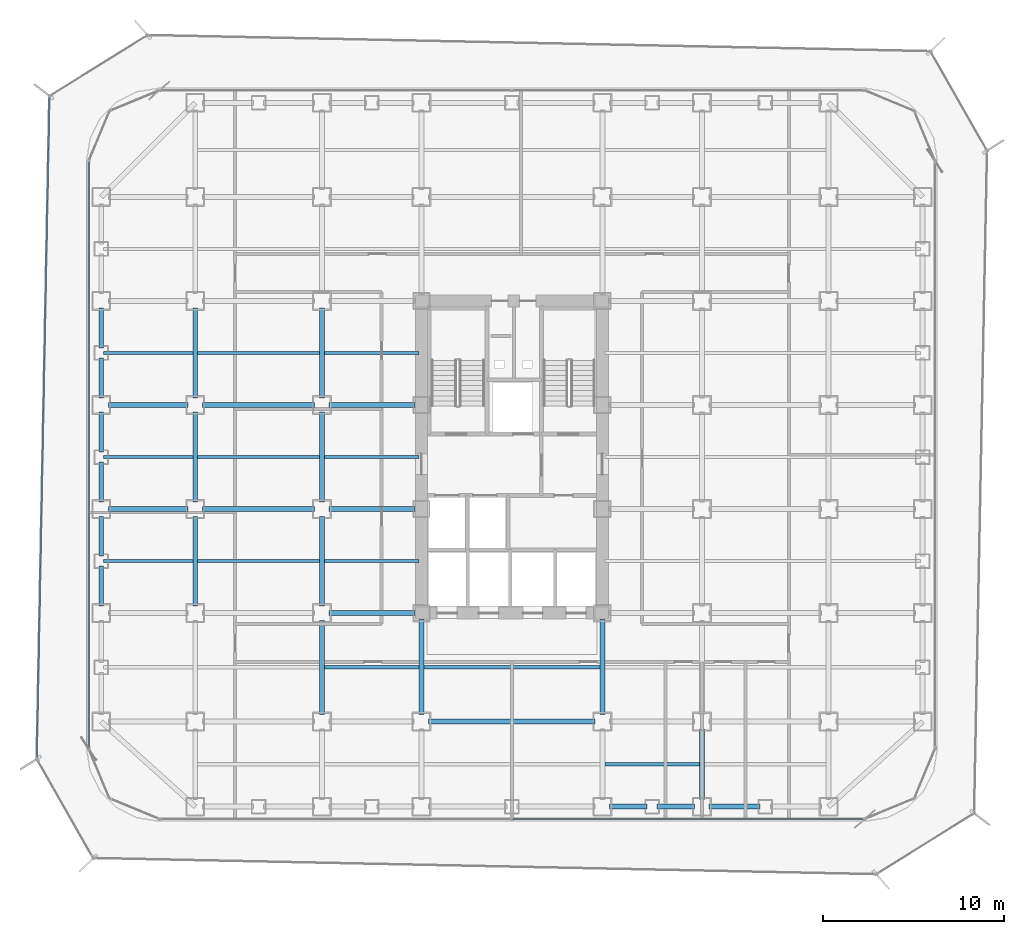
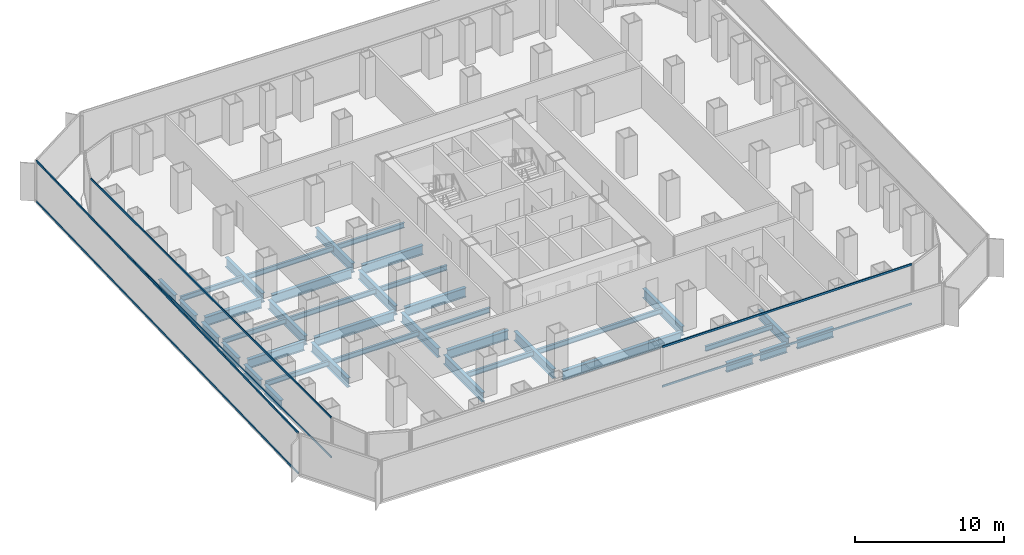
# One storey, part 5 of 21: 39 beams, 6 members, 3 elements without a shape of their own.
"""IFC4 building model written with IfcOpenShell, lengths in metres."""

from ifc_helpers import new_model, si_unit, direction, frame, origin, origin_2d, place, context, subcontext, project, spatial, hollow_rectangle, i_section, extrude, source, transform, mapped, material, layer, layer_set, material_profile, profile_set, type_object, element, aggregate, save


model = new_model("IFC4")

# Units and contexts
model_context = context("Model", 3, precision=1e-05, world=origin(), true_north=direction((0.0, 1.0)))
body_context = subcontext(model_context, "Body", "Model", "MODEL_VIEW")
ifc_project = project(units=[si_unit("LENGTHUNIT", "METRE"), si_unit("AREAUNIT", "SQUARE_METRE"), si_unit("VOLUMEUNIT", "CUBIC_METRE"), si_unit("PLANEANGLEUNIT", "RADIAN"), si_unit("MASSUNIT", "GRAM", prefix="KILO")], contexts=[model_context])

# Site, building, storey
site_placement = place(None, origin())
site = spatial("IfcSite", under=ifc_project, at=site_placement, CompositionType="ELEMENT")
building_placement = place(site_placement, origin())
building = spatial("IfcBuilding", under=site, at=building_placement, Name="Kolveth Station Tower", CompositionType="ELEMENT")
storey_placement = place(building_placement, frame((0.0, 0.0, 26.10009765625)))
storey = spatial("IfcBuildingStorey", under=building, at=storey_placement, Name="L06", CompositionType="ELEMENT", Elevation=26.10009765625)

# Beams
ifc_material_1 = material(Name="Steel S355", Category="steel")
ifc_material_profile_1 = material_profile(ifc_material_1, i_section(OverallWidth=0.26904296875, OverallDepth=0.77490234375, WebThickness=0.01708984375, FlangeThickness=0.0283203125, at=origin_2d()), Name="W760x220")
ifc_profile_set_1 = profile_set([ifc_material_profile_1], Name="Steel S355")
beam_type_1 = type_object("IfcBeamType", Name="Beam_SP1", PredefinedType="SPANDREL", material=ifc_profile_set_1)
shared_shape_1 = source(origin(), body_context, "Body", "SweptSolid", [
    extrude(i_section(OverallWidth=0.26904296875, OverallDepth=0.77490234375, WebThickness=0.01708984375, FlangeThickness=0.0283203125, at=origin_2d()), origin(), (0.0, 0.0, 1.0), 2.820068359375),
])
beam_1_placement = place(storey_placement, frame((34.39990234375, 0.800048828125, -0.66748046875), z_axis=(1.0, 0.0, 0.0), x_axis=(0.0, 1.0, 0.0)))
element("IfcBeam", 1, at=beam_1_placement, inside=storey, type_object=beam_type_1, Name="L06 Perimeter Spandrel BM-L06-PS-9", PredefinedType="SPANDREL", context=body_context, shape_type="MappedRepresentation", body=[
    mapped(shared_shape_1, transform((0.0, 0.0, 0.0), x_axis=(1.0, 0.0, 0.0), y_axis=(0.0, 1.0, 0.0), z_axis=(0.0, 0.0, 1.0), scale=1.0)),
])
shared_shape_2 = source(origin(), body_context, "Body", "SweptSolid", [
    extrude(i_section(OverallWidth=0.26904296875, OverallDepth=0.77490234375, WebThickness=0.01708984375, FlangeThickness=0.0283203125, at=origin_2d()), origin(), (0.0, 0.0, 1.0), 2.070068359375),
])
for number, where, z_axis, x_axis, name in (
    (2, (28.89990234375, 0.800048828125, -0.66748046875), (1.0, 0.0, 0.0), (0.0, 1.0, 0.0), "L06 Perimeter Spandrel BM-L06-PS-7"),
    (3, (31.530029296875, 0.800048828125, -0.66748046875), (1.0, 0.0, 0.0), (0.0, 1.0, 0.0), "L06 Perimeter Spandrel BM-L06-PS-8"),
):
    element("IfcBeam", number, at=place(storey_placement, frame(where, z_axis=z_axis, x_axis=x_axis)), inside=storey, type_object=beam_type_1, Name=name, PredefinedType="SPANDREL", context=body_context, shape_type="MappedRepresentation", body=[
        mapped(shared_shape_2, transform((0.0, 0.0, 0.0), x_axis=(1.0, 0.0, 0.0), y_axis=(0.0, 1.0, 0.0), z_axis=(0.0, 0.0, 1.0), scale=1.0)),
    ])
shared_shape_3 = source(origin(), body_context, "Body", "SweptSolid", [
    extrude(i_section(OverallWidth=0.26904296875, OverallDepth=0.77490234375, WebThickness=0.01708984375, FlangeThickness=0.0283203125, at=origin_2d()), origin(), (0.0, 0.0, 1.0), 2.2001953125),
])
for number, where, z_axis, x_axis, name in (
    (4, (0.800048828125, 11.89990234375, -0.66748046875), (0.0, 1.0, 0.0), (-1.0, 0.0, 0.0), "L06 Perimeter Spandrel BM-L06-PW-3"),
    (5, (0.800048828125, 20.39990234375, -0.66748046875), (0.0, 1.0, 0.0), (-1.0, 0.0, 0.0), "L06 Perimeter Spandrel BM-L06-PW-6"),
    (6, (0.800048828125, 23.39990234375, -0.66748046875), (0.0, 1.0, 0.0), (-1.0, 0.0, 0.0), "L06 Perimeter Spandrel BM-L06-PW-7"),
):
    element("IfcBeam", number, at=place(storey_placement, frame(where, z_axis=z_axis, x_axis=x_axis)), inside=storey, type_object=beam_type_1, Name=name, PredefinedType="SPANDREL", context=body_context, shape_type="MappedRepresentation", body=[
        mapped(shared_shape_3, transform((0.0, 0.0, 0.0), x_axis=(1.0, 0.0, 0.0), y_axis=(0.0, 1.0, 0.0), z_axis=(0.0, 0.0, 1.0), scale=1.0)),
    ])
shared_shape_4 = source(origin(), body_context, "Body", "SweptSolid", [
    extrude(i_section(OverallWidth=0.26904296875, OverallDepth=0.77490234375, WebThickness=0.01708984375, FlangeThickness=0.0283203125, at=origin_2d()), origin(), (0.0, 0.0, 1.0), 2.190185546875),
])
for number, where, z_axis, x_axis, name in (
    (7, (0.800048828125, 14.659912109375, -0.66748046875), (0.0, 1.0, 0.0), (-1.0, 0.0, 0.0), "L06 Perimeter Spandrel BM-L06-PW-4"),
    (8, (0.800048828125, 17.64990234375, -0.66748046875), (0.0, 1.0, 0.0), (-1.0, 0.0, 0.0), "L06 Perimeter Spandrel BM-L06-PW-5"),
    (9, (0.800048828125, 26.159912109375, -0.66748046875), (0.0, 1.0, 0.0), (-1.0, 0.0, 0.0), "L06 Perimeter Spandrel BM-L06-PW-8"),
):
    element("IfcBeam", number, at=place(storey_placement, frame(where, z_axis=z_axis, x_axis=x_axis)), inside=storey, type_object=beam_type_1, Name=name, PredefinedType="SPANDREL", context=body_context, shape_type="MappedRepresentation", body=[
        mapped(shared_shape_4, transform((0.0, 0.0, 0.0), x_axis=(1.0, 0.0, 0.0), y_axis=(0.0, 1.0, 0.0), z_axis=(0.0, 0.0, 1.0), scale=1.0)),
    ])
ifc_material_profile_2 = material_profile(ifc_material_1, i_section(OverallWidth=0.26708984375, OverallDepth=0.76611328125, WebThickness=0.014892578125, FlangeThickness=0.023681640625, at=origin_2d()), Name="W760x185")
ifc_profile_set_2 = profile_set([ifc_material_profile_2], Name="Steel S355")
beam_type_2 = type_object("IfcBeamType", Name="Beam_B3", PredefinedType="BEAM", material=ifc_profile_set_2)
shared_shape_5 = source(origin(), body_context, "Body", "SweptSolid", [
    extrude(i_section(OverallWidth=0.26708984375, OverallDepth=0.76611328125, WebThickness=0.014892578125, FlangeThickness=0.023681640625, at=origin_2d()), origin(), (0.0, 0.0, 1.0), 4.400146484375),
])
for number, where, z_axis, x_axis, name in (
    (10, (1.199951171875, 17.25, -0.6630859375), (1.0, 0.0, 0.0), (0.0, 1.0, 0.0), "L06 Primary Girder BM-L06-GY172-1"),
    (11, (1.199951171875, 23.0, -0.6630859375), (1.0, 0.0, 0.0), (0.0, 1.0, 0.0), "L06 Primary Girder BM-L06-GY230-1"),
):
    element("IfcBeam", number, at=place(storey_placement, frame(where, z_axis=z_axis, x_axis=x_axis)), inside=storey, type_object=beam_type_2, Name=name, PredefinedType="BEAM", context=body_context, shape_type="MappedRepresentation", body=[
        mapped(shared_shape_5, transform((0.0, 0.0, 0.0), x_axis=(1.0, 0.0, 0.0), y_axis=(0.0, 1.0, 0.0), z_axis=(0.0, 0.0, 1.0), scale=1.0)),
    ])
shared_shape_6 = source(origin(), body_context, "Body", "SweptSolid", [
    extrude(i_section(OverallWidth=0.26708984375, OverallDepth=0.76611328125, WebThickness=0.014892578125, FlangeThickness=0.023681640625, at=origin_2d()), origin(), (0.0, 0.0, 1.0), 6.2001953125),
])
for number, where, z_axis, x_axis, name in (
    (12, (6.39990234375, 17.25, -0.6630859375), (1.0, 0.0, 0.0), (0.0, 1.0, 0.0), "L06 Primary Girder BM-L06-GY172-2"),
    (13, (6.39990234375, 23.0, -0.6630859375), (1.0, 0.0, 0.0), (0.0, 1.0, 0.0), "L06 Primary Girder BM-L06-GY230-2"),
):
    element("IfcBeam", number, at=place(storey_placement, frame(where, z_axis=z_axis, x_axis=x_axis)), inside=storey, type_object=beam_type_2, Name=name, PredefinedType="BEAM", context=body_context, shape_type="MappedRepresentation", body=[
        mapped(shared_shape_6, transform((0.0, 0.0, 0.0), x_axis=(1.0, 0.0, 0.0), y_axis=(0.0, 1.0, 0.0), z_axis=(0.0, 0.0, 1.0), scale=1.0)),
    ])
shared_shape_7 = source(origin(), body_context, "Body", "SweptSolid", [
    extrude(i_section(OverallWidth=0.26708984375, OverallDepth=0.76611328125, WebThickness=0.014892578125, FlangeThickness=0.023681640625, at=origin_2d()), origin(), (0.0, 0.0, 1.0), 9.2001953125),
])
beam_2_placement = place(storey_placement, frame((18.89990234375, 5.5, -0.6630859375), z_axis=(1.0, 0.0, 0.0), x_axis=(0.0, 1.0, 0.0)))
element("IfcBeam", 14, at=beam_2_placement, inside=storey, type_object=beam_type_2, Name="L06 Primary Girder BM-L06-GY55-4", PredefinedType="BEAM", context=body_context, shape_type="MappedRepresentation", body=[
    mapped(shared_shape_7, transform((0.0, 0.0, 0.0), x_axis=(1.0, 0.0, 0.0), y_axis=(0.0, 1.0, 0.0), z_axis=(0.0, 0.0, 1.0), scale=1.0)),
])
shared_shape_8 = source(origin(), body_context, "Body", "SweptSolid", [
    extrude(i_section(OverallWidth=0.26708984375, OverallDepth=0.76611328125, WebThickness=0.014892578125, FlangeThickness=0.023681640625, at=origin_2d()), origin(), (0.0, 0.0, 1.0), 4.739990234375),
])
for number, where, z_axis, x_axis, name in (
    (15, (13.39990234375, 11.5, -0.6630859375), (1.0, 0.0, 0.0), (0.0, 1.0, 0.0), "L06 Primary Girder BM-L06-GY115-3"),
    (16, (13.39990234375, 17.25, -0.6630859375), (1.0, 0.0, 0.0), (0.0, 1.0, 0.0), "L06 Primary Girder BM-L06-GY172-3"),
    (17, (13.39990234375, 23.0, -0.6630859375), (1.0, 0.0, 0.0), (0.0, 1.0, 0.0), "L06 Primary Girder BM-L06-GY230-3"),
):
    element("IfcBeam", number, at=place(storey_placement, frame(where, z_axis=z_axis, x_axis=x_axis)), inside=storey, type_object=beam_type_2, Name=name, PredefinedType="BEAM", context=body_context, shape_type="MappedRepresentation", body=[
        mapped(shared_shape_8, transform((0.0, 0.0, 0.0), x_axis=(1.0, 0.0, 0.0), y_axis=(0.0, 1.0, 0.0), z_axis=(0.0, 0.0, 1.0), scale=1.0)),
    ])
shared_shape_9 = source(origin(), body_context, "Body", "SweptSolid", [
    extrude(i_section(OverallWidth=0.26708984375, OverallDepth=0.76611328125, WebThickness=0.014892578125, FlangeThickness=0.023681640625, at=origin_2d()), origin(), (0.0, 0.0, 1.0), 3.900146484375),
])
beam_3_placement = place(storey_placement, frame((34.0, 1.199951171875, -0.6630859375), z_axis=(0.0, 1.0, 0.0), x_axis=(-1.0, 0.0, 0.0)))
element("IfcBeam", 18, at=beam_3_placement, inside=storey, type_object=beam_type_2, Name="L06 Primary Girder BM-L06-GX340-1", PredefinedType="BEAM", context=body_context, shape_type="MappedRepresentation", body=[
    mapped(shared_shape_9, transform((0.0, 0.0, 0.0), x_axis=(1.0, 0.0, 0.0), y_axis=(0.0, 1.0, 0.0), z_axis=(0.0, 0.0, 1.0), scale=1.0)),
])
shared_shape_10 = source(origin(), body_context, "Body", "SweptSolid", [
    extrude(i_section(OverallWidth=0.26708984375, OverallDepth=0.76611328125, WebThickness=0.014892578125, FlangeThickness=0.023681640625, at=origin_2d()), origin(), (0.0, 0.0, 1.0), 5.2001953125),
])
beam_4_placement = place(storey_placement, frame((13.0, 5.89990234375, -0.6630859375), z_axis=(0.0, 1.0, 0.0), x_axis=(-1.0, 0.0, 0.0)))
element("IfcBeam", 19, at=beam_4_placement, inside=storey, type_object=beam_type_2, Name="L06 Primary Girder BM-L06-GX130-2", PredefinedType="BEAM", context=body_context, shape_type="MappedRepresentation", body=[
    mapped(shared_shape_10, transform((0.0, 0.0, 0.0), x_axis=(1.0, 0.0, 0.0), y_axis=(0.0, 1.0, 0.0), z_axis=(0.0, 0.0, 1.0), scale=1.0)),
])
shared_shape_11 = source(origin(), body_context, "Body", "SweptSolid", [
    extrude(i_section(OverallWidth=0.26708984375, OverallDepth=0.76611328125, WebThickness=0.014892578125, FlangeThickness=0.023681640625, at=origin_2d()), origin(), (0.0, 0.0, 1.0), 4.9501953125),
])
for number, where, z_axis, x_axis, name in (
    (20, (6.0, 11.89990234375, -0.6630859375), (0.0, 1.0, 0.0), (-1.0, 0.0, 0.0), "L06 Primary Girder BM-L06-GX60-3"),
    (21, (6.0, 17.64990234375, -0.6630859375), (0.0, 1.0, 0.0), (-1.0, 0.0, 0.0), "L06 Primary Girder BM-L06-GX60-4"),
    (22, (6.0, 23.39990234375, -0.6630859375), (0.0, 1.0, 0.0), (-1.0, 0.0, 0.0), "L06 Primary Girder BM-L06-GX60-5"),
    (23, (13.0, 11.89990234375, -0.6630859375), (0.0, 1.0, 0.0), (-1.0, 0.0, 0.0), "L06 Primary Girder BM-L06-GX130-3"),
    (24, (13.0, 17.64990234375, -0.6630859375), (0.0, 1.0, 0.0), (-1.0, 0.0, 0.0), "L06 Primary Girder BM-L06-GX130-4"),
    (25, (13.0, 23.39990234375, -0.6630859375), (0.0, 1.0, 0.0), (-1.0, 0.0, 0.0), "L06 Primary Girder BM-L06-GX130-5"),
):
    element("IfcBeam", number, at=place(storey_placement, frame(where, z_axis=z_axis, x_axis=x_axis)), inside=storey, type_object=beam_type_2, Name=name, PredefinedType="BEAM", context=body_context, shape_type="MappedRepresentation", body=[
        mapped(shared_shape_11, transform((0.0, 0.0, 0.0), x_axis=(1.0, 0.0, 0.0), y_axis=(0.0, 1.0, 0.0), z_axis=(0.0, 0.0, 1.0), scale=1.0)),
    ])
shared_shape_12 = source(origin(), body_context, "Body", "SweptSolid", [
    extrude(i_section(OverallWidth=0.26708984375, OverallDepth=0.76611328125, WebThickness=0.014892578125, FlangeThickness=0.023681640625, at=origin_2d()), origin(), (0.0, 0.0, 1.0), 5.239990234375),
])
for number, where, z_axis, x_axis, name in (
    (26, (18.5, 5.89990234375, -0.6630859375), (0.0, 1.0, 0.0), (-1.0, 0.0, 0.0), "L06 Primary Girder BM-L06-GX185-2"),
    (27, (28.5, 5.89990234375, -0.6630859375), (0.0, 1.0, 0.0), (-1.0, 0.0, 0.0), "L06 Primary Girder BM-L06-GX285-2"),
):
    element("IfcBeam", number, at=place(storey_placement, frame(where, z_axis=z_axis, x_axis=x_axis)), inside=storey, type_object=beam_type_2, Name=name, PredefinedType="BEAM", context=body_context, shape_type="MappedRepresentation", body=[
        mapped(shared_shape_12, transform((0.0, 0.0, 0.0), x_axis=(1.0, 0.0, 0.0), y_axis=(0.0, 1.0, 0.0), z_axis=(0.0, 0.0, 1.0), scale=1.0)),
    ])
ifc_material_profile_3 = material_profile(ifc_material_1, i_section(OverallWidth=0.177978515625, OverallDepth=0.406982421875, WebThickness=0.0078125, FlangeThickness=0.0126953125, at=origin_2d()), Name="W410x60")
ifc_profile_set_3 = profile_set([ifc_material_profile_3], Name="Steel S355")
beam_type_3 = type_object("IfcBeamType", Name="Beam_J1", PredefinedType="JOIST", material=ifc_profile_set_3)
shared_shape_13 = source(origin(), body_context, "Body", "SweptSolid", [
    extrude(i_section(OverallWidth=0.177978515625, OverallDepth=0.406982421875, WebThickness=0.0078125, FlangeThickness=0.0126953125, at=origin_2d()), origin(), (0.0, 0.0, 1.0), 4.935791015625),
])
for number, where, z_axis, x_axis, name in (
    (28, (0.9326171875, 14.375, -0.483642578125), (1.0, 0.0, 0.0), (0.0, 1.0, 0.0), "L06 Secondary Joist JST-L06-1-3"),
    (29, (0.9326171875, 20.125, -0.483642578125), (1.0, 0.0, 0.0), (0.0, 1.0, 0.0), "L06 Secondary Joist JST-L06-1-4"),
    (30, (0.9326171875, 25.875, -0.483642578125), (1.0, 0.0, 0.0), (0.0, 1.0, 0.0), "L06 Secondary Joist JST-L06-1-5"),
):
    element("IfcBeam", number, at=place(storey_placement, frame(where, z_axis=z_axis, x_axis=x_axis)), inside=storey, type_object=beam_type_3, Name=name, PredefinedType="JOIST", context=body_context, shape_type="MappedRepresentation", body=[
        mapped(shared_shape_13, transform((0.0, 0.0, 0.0), x_axis=(1.0, 0.0, 0.0), y_axis=(0.0, 1.0, 0.0), z_axis=(0.0, 0.0, 1.0), scale=1.0)),
    ])
shared_shape_14 = source(origin(), body_context, "Body", "SweptSolid", [
    extrude(i_section(OverallWidth=0.177978515625, OverallDepth=0.406982421875, WebThickness=0.0078125, FlangeThickness=0.0126953125, at=origin_2d()), origin(), (0.0, 0.0, 1.0), 6.73681640625),
])
for number, where, z_axis, x_axis, name in (
    (31, (6.131591796875, 14.375, -0.483642578125), (1.0, 0.0, 0.0), (0.0, 1.0, 0.0), "L06 Secondary Joist JST-L06-2-3"),
    (32, (6.131591796875, 20.125, -0.483642578125), (1.0, 0.0, 0.0), (0.0, 1.0, 0.0), "L06 Secondary Joist JST-L06-2-4"),
    (33, (6.131591796875, 25.875, -0.483642578125), (1.0, 0.0, 0.0), (0.0, 1.0, 0.0), "L06 Secondary Joist JST-L06-2-5"),
):
    element("IfcBeam", number, at=place(storey_placement, frame(where, z_axis=z_axis, x_axis=x_axis)), inside=storey, type_object=beam_type_3, Name=name, PredefinedType="JOIST", context=body_context, shape_type="MappedRepresentation", body=[
        mapped(shared_shape_14, transform((0.0, 0.0, 0.0), x_axis=(1.0, 0.0, 0.0), y_axis=(0.0, 1.0, 0.0), z_axis=(0.0, 0.0, 1.0), scale=1.0)),
    ])
shared_shape_15 = source(origin(), body_context, "Body", "SweptSolid", [
    extrude(i_section(OverallWidth=0.177978515625, OverallDepth=0.406982421875, WebThickness=0.0078125, FlangeThickness=0.0126953125, at=origin_2d()), origin(), (0.0, 0.0, 1.0), 5.23681640625),
])
for number, where, z_axis, x_axis, name in (
    (34, (13.131591796875, 8.5, -0.483642578125), (1.0, 0.0, 0.0), (0.0, 1.0, 0.0), "L06 Secondary Joist JST-L06-3-2"),
    (35, (13.131591796875, 14.375, -0.483642578125), (1.0, 0.0, 0.0), (0.0, 1.0, 0.0), "L06 Secondary Joist JST-L06-3-3"),
    (36, (13.131591796875, 20.125, -0.483642578125), (1.0, 0.0, 0.0), (0.0, 1.0, 0.0), "L06 Secondary Joist JST-L06-3-4"),
    (37, (13.131591796875, 25.875, -0.483642578125), (1.0, 0.0, 0.0), (0.0, 1.0, 0.0), "L06 Secondary Joist JST-L06-3-5"),
    (38, (28.631591796875, 3.14990234375, -0.483642578125), (1.0, 0.0, 0.0), (0.0, 1.0, 0.0), "L06 Secondary Joist JST-L06-5-1"),
):
    element("IfcBeam", number, at=place(storey_placement, frame(where, z_axis=z_axis, x_axis=x_axis)), inside=storey, type_object=beam_type_3, Name=name, PredefinedType="JOIST", context=body_context, shape_type="MappedRepresentation", body=[
        mapped(shared_shape_15, transform((0.0, 0.0, 0.0), x_axis=(1.0, 0.0, 0.0), y_axis=(0.0, 1.0, 0.0), z_axis=(0.0, 0.0, 1.0), scale=1.0)),
    ])
shared_shape_16 = source(origin(), body_context, "Body", "SweptSolid", [
    extrude(i_section(OverallWidth=0.177978515625, OverallDepth=0.406982421875, WebThickness=0.0078125, FlangeThickness=0.0126953125, at=origin_2d()), origin(), (0.0, 0.0, 1.0), 9.73681640625),
])
beam_5_placement = place(storey_placement, frame((18.631591796875, 8.5, -0.483642578125), z_axis=(1.0, 0.0, 0.0), x_axis=(0.0, 1.0, 0.0)))
element("IfcBeam", 39, at=beam_5_placement, inside=storey, type_object=beam_type_3, Name="L06 Secondary Joist JST-L06-4-2", PredefinedType="JOIST", context=body_context, shape_type="MappedRepresentation", body=[
    mapped(shared_shape_16, transform((0.0, 0.0, 0.0), x_axis=(1.0, 0.0, 0.0), y_axis=(0.0, 1.0, 0.0), z_axis=(0.0, 0.0, 1.0), scale=1.0)),
])

# Curtain wall, members
ifc_material_2 = material(Name="Aluminium 6063-T6 and low-E dark glass", Category="aluminium")
ifc_layer_1 = layer(ifc_material_2, 0.179931640625)
ifc_layer_set_1 = layer_set([ifc_layer_1], Name="Aluminium 6063-T6 and low-E dark glass")
curtain_wall_type_1 = type_object("IfcCurtainWallType", Name="CurtainWall_CW-Z1", PredefinedType="NOTDEFINED", material=ifc_layer_set_1)
curtain_wall_1_placement = place(storey_placement, origin())
curtain_wall_1 = element("IfcCurtainWall", 40, at=curtain_wall_1_placement, inside=storey, type_object=curtain_wall_type_1, Name="L06 Inner Thermal Curtain Wall 9", PredefinedType="NOTDEFINED")
ifc_material_3 = material(Name="Black anodized aluminium 6063-T6", Category="aluminium")
ifc_material_profile_4 = material_profile(ifc_material_3, hollow_rectangle(XDim=0.074951171875, YDim=0.159912109375, WallThickness=0.0048828125, at=origin_2d()), Name="ALU-75x160x5")
ifc_profile_set_4 = profile_set([ifc_material_profile_4], Name="Black anodized aluminium 6063-T6")
member_type_1 = type_object("IfcMemberType", Name="Transom_TR1", PredefinedType="USERDEFINED", material=ifc_profile_set_4)
shared_shape_17 = source(origin(), body_context, "Body", "SweptSolid", [
    extrude(hollow_rectangle(XDim=0.074951171875, YDim=0.159912109375, WallThickness=0.0048828125, at=origin_2d()), origin(), (0.0, 0.0, 1.0), 32.35009765625),
])
member_1_placement = place(storey_placement, frame((0.1201171875, 36.425048828125, 0.037353515625), z_axis=(0.0, -1.0, 0.0), x_axis=(1.0, 0.0, 0.0)))
member_1 = element("IfcMember", 41, at=member_1_placement, type_object=member_type_1, Name="CW-Z1 transom 1.1", ObjectType="TRANSOM", PredefinedType="USERDEFINED", context=body_context, shape_type="MappedRepresentation", body=[
    mapped(shared_shape_17, transform((0.0, 0.0, 0.0), x_axis=(1.0, 0.0, 0.0), y_axis=(0.0, 1.0, 0.0), z_axis=(0.0, 0.0, 1.0), scale=1.0)),
])
member_2_placement = place(storey_placement, frame((0.1201171875, 36.425048828125, 3.282470703125), z_axis=(0.0, -1.0, 0.0), x_axis=(1.0, 0.0, 0.0)))
member_2 = element("IfcMember", 42, at=member_2_placement, type_object=member_type_1, Name="CW-Z1 transom 1.2", ObjectType="TRANSOM", PredefinedType="USERDEFINED", context=body_context, shape_type="MappedRepresentation", body=[
    mapped(shared_shape_17, transform((0.0, 0.0, 0.0), x_axis=(1.0, 0.0, 0.0), y_axis=(0.0, 1.0, 0.0), z_axis=(0.0, 0.0, 1.0), scale=1.0)),
])
aggregate(curtain_wall_1, [member_1, member_2])

curtain_wall_2_placement = place(storey_placement, origin())
curtain_wall_2 = element("IfcCurtainWall", 43, at=curtain_wall_2_placement, inside=storey, type_object=curtain_wall_type_1, Name="L06 Inner Thermal Curtain Wall 12", PredefinedType="NOTDEFINED")
shared_shape_18 = source(origin(), body_context, "Body", "SweptSolid", [
    extrude(hollow_rectangle(XDim=0.074951171875, YDim=0.159912109375, WallThickness=0.0048828125, at=origin_2d()), origin(), (0.0, 0.0, 1.0), 19.387451171875),
])
member_3_placement = place(storey_placement, frame((23.53759765625, 0.1201171875, 0.037353515625), z_axis=(1.0, 0.0, 0.0), x_axis=(0.0, 1.0, 0.0)))
member_3 = element("IfcMember", 44, at=member_3_placement, type_object=member_type_1, Name="CW-Z1 transom 2.1", ObjectType="TRANSOM", PredefinedType="USERDEFINED", context=body_context, shape_type="MappedRepresentation", body=[
    mapped(shared_shape_18, transform((0.0, 0.0, 0.0), x_axis=(1.0, 0.0, 0.0), y_axis=(0.0, 1.0, 0.0), z_axis=(0.0, 0.0, 1.0), scale=1.0)),
])
member_4_placement = place(storey_placement, frame((23.53759765625, 0.1201171875, 3.282470703125), z_axis=(1.0, 0.0, 0.0), x_axis=(0.0, 1.0, 0.0)))
member_4 = element("IfcMember", 45, at=member_4_placement, type_object=member_type_1, Name="CW-Z1 transom 2.2", ObjectType="TRANSOM", PredefinedType="USERDEFINED", context=body_context, shape_type="MappedRepresentation", body=[
    mapped(shared_shape_18, transform((0.0, 0.0, 0.0), x_axis=(1.0, 0.0, 0.0), y_axis=(0.0, 1.0, 0.0), z_axis=(0.0, 0.0, 1.0), scale=1.0)),
])
aggregate(curtain_wall_2, [member_3, member_4])

ifc_material_4 = material(Name="Black anodized aluminium 6063-T6 and dark solar glass", Category="aluminium")
ifc_layer_2 = layer(ifc_material_4, 0.159912109375)
ifc_layer_set_2 = layer_set([ifc_layer_2], Name="Black anodized aluminium 6063-T6 and dark solar glass")
curtain_wall_type_2 = type_object("IfcCurtainWallType", Name="OUTER SKIN CW-OS", PredefinedType="NOTDEFINED", material=ifc_layer_set_2)
curtain_wall_3_placement = place(storey_placement, origin())
curtain_wall_3 = element("IfcCurtainWall", 46, at=curtain_wall_3_placement, inside=storey, type_object=curtain_wall_type_2, Name="L06 Outer Ventilated Skin Curtain Wall 6", PredefinedType="NOTDEFINED")
ifc_material_profile_5 = material_profile(ifc_material_3, hollow_rectangle(XDim=0.080078125, YDim=0.14990234375, WallThickness=0.0048828125, at=origin_2d()), Name="ALU-80x150x5")
ifc_profile_set_5 = profile_set([ifc_material_profile_5], Name="Black anodized aluminium 6063-T6")
member_type_2 = type_object("IfcMemberType", Name="Transom_TR-OS", PredefinedType="USERDEFINED", material=ifc_profile_set_5)
shared_shape_19 = source(origin(), body_context, "Body", "SweptSolid", [
    extrude(hollow_rectangle(XDim=0.080078125, YDim=0.14990234375, WallThickness=0.0048828125, at=origin_2d()), origin(), (0.0, 0.0, 1.0), 36.44970703125),
])
member_5_placement = place(storey_placement, frame((-2.058349609375, 39.977294921875, 0.039794921875), z_axis=(-0.019142876348, -0.999816758354, 0.0), x_axis=(0.999816758354, -0.019142876348, 0.0)))
member_5 = element("IfcMember", 47, at=member_5_placement, type_object=member_type_2, Name="CW-OS transom 1.1", ObjectType="TRANSOM", PredefinedType="USERDEFINED", context=body_context, shape_type="MappedRepresentation", body=[
    mapped(shared_shape_19, transform((0.0, 0.0, 0.0), x_axis=(1.0, 0.0, 0.0), y_axis=(0.0, 1.0, 0.0), z_axis=(0.0, 0.0, 1.0), scale=1.0)),
])
member_6_placement = place(storey_placement, frame((-2.058349609375, 39.977294921875, 3.349853515625), z_axis=(-0.019142876348, -0.999816758354, 0.0), x_axis=(0.999816758354, -0.019142876348, 0.0)))
member_6 = element("IfcMember", 48, at=member_6_placement, type_object=member_type_2, Name="CW-OS transom 1.2", ObjectType="TRANSOM", PredefinedType="USERDEFINED", context=body_context, shape_type="MappedRepresentation", body=[
    mapped(shared_shape_19, transform((0.0, 0.0, 0.0), x_axis=(1.0, 0.0, 0.0), y_axis=(0.0, 1.0, 0.0), z_axis=(0.0, 0.0, 1.0), scale=1.0)),
])
aggregate(curtain_wall_3, [member_5, member_6])

save(model, "model.ifc")
